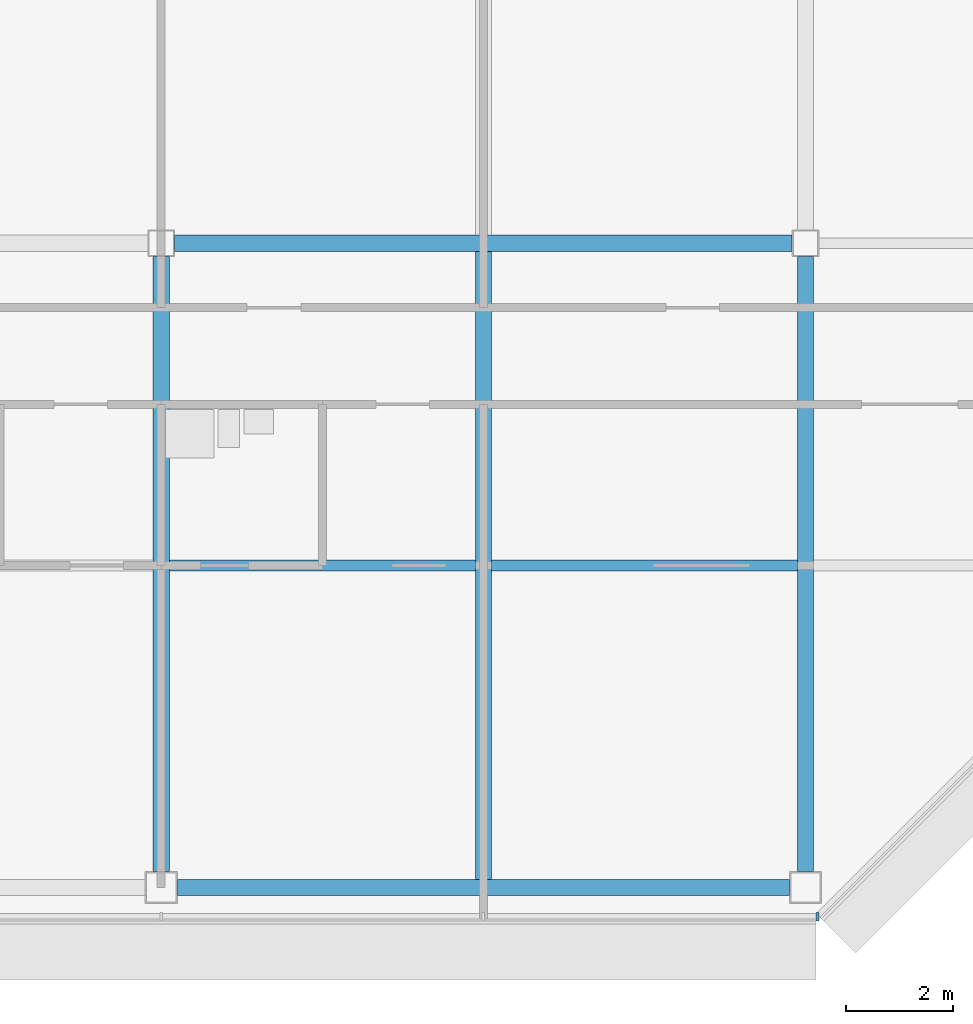
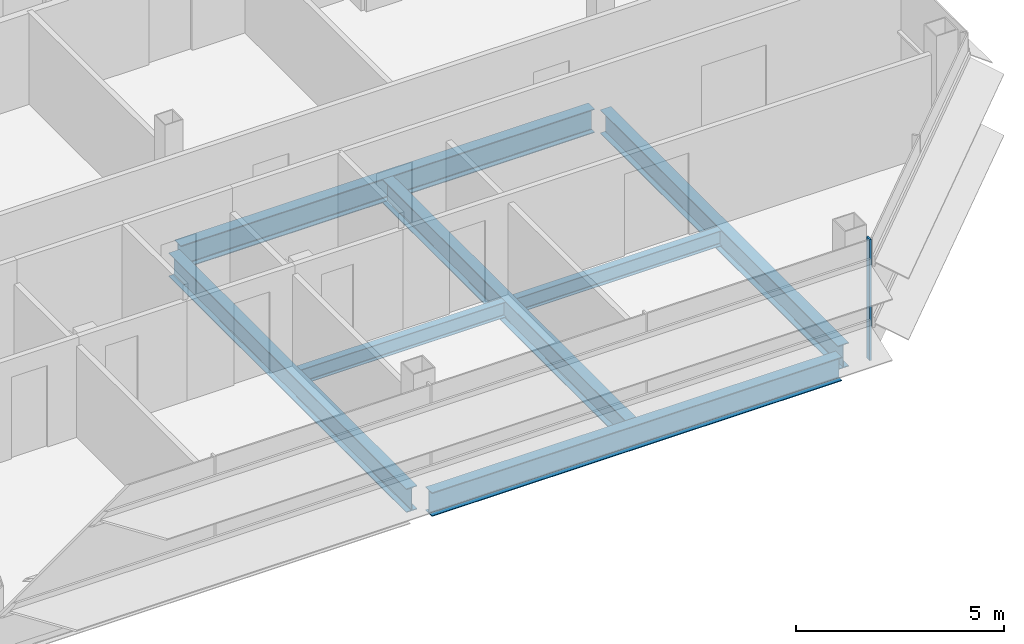
# One storey, part 10 of 28: 7 beams, 1 member, 1 element without a shape of its own.
"""IFC4 building model written with IfcOpenShell, lengths in metres."""

from ifc_helpers import new_model, si_unit, direction, frame, origin, origin_2d, place, context, subcontext, project, spatial, rectangle, i_section, extrude, material, material_profile, profile_set, type_object, element, aggregate, save


model = new_model("IFC4")

# Units and contexts
model_context = context("Model", 3, precision=1e-05, world=origin(), true_north=direction((0.0, 1.0)))
body_context = subcontext(model_context, "Body", "Model", "MODEL_VIEW")
ifc_project = project(units=[si_unit("LENGTHUNIT", "METRE"), si_unit("AREAUNIT", "SQUARE_METRE"), si_unit("VOLUMEUNIT", "CUBIC_METRE"), si_unit("PLANEANGLEUNIT", "RADIAN"), si_unit("MASSUNIT", "GRAM", prefix="KILO")], contexts=[model_context])

# Site, building, storey
site_placement = place(None, origin())
site = spatial("IfcSite", under=ifc_project, at=site_placement, CompositionType="ELEMENT")
building_placement = place(site_placement, origin())
building = spatial("IfcBuilding", under=site, at=building_placement, Name="Sorahane Residences", CompositionType="ELEMENT")
storey_placement = place(building_placement, frame((0.0, 0.0, 254.0)))
storey = spatial("IfcBuildingStorey", under=building, at=storey_placement, Name="L60", CompositionType="ELEMENT", Elevation=254.0)

# Curtain wall, member
ifc_material_1 = material(Name="Dark low-e glass and black anodised aluminium", Category="aluminium")
curtain_wall_type = type_object("IfcCurtainWallType", Name="Curtain wall CW-1 Typical unitised wall", PredefinedType="NOTDEFINED", material=ifc_material_1)
curtain_wall_placement = place(storey_placement, origin())
curtain_wall = element("IfcCurtainWall", 1, at=curtain_wall_placement, inside=storey, type_object=curtain_wall_type, Name="CW-1 curtain wall L60 S1", PredefinedType="NOTDEFINED")
ifc_material_2 = material(Name="Black anodised aluminium", Category="aluminium")
ifc_material_profile_1 = material_profile(ifc_material_2, rectangle(XDim=0.159912109375, YDim=0.050048828125, at=origin_2d()), Name="Curtain wall mullion CW-1 black anodised aluminium 50x160")
ifc_profile_set_1 = profile_set([ifc_material_profile_1], Name="Black anodised aluminium")
member_type = type_object("IfcMemberType", Name="Curtain wall mullion CW-1 black anodised aluminium 50x160", PredefinedType="MULLION", material=ifc_profile_set_1)
member_placement = place(storey_placement, frame((48.2236328125, -0.5400390625, -0.179931640625), z_axis=(0.0, 0.0, 1.0), x_axis=(0.0, -1.0, 0.0)))
member = element("IfcMember", 2, at=member_placement, type_object=member_type, Name="CW-1 mullion L60 S1.10", PredefinedType="MULLION", context=body_context, shape_type="SweptSolid", body=[
    extrude(rectangle(XDim=0.159912109375, YDim=0.050048828125, at=origin_2d()), origin(), (0.0, 0.0, 1.0), 3.559814453125),
])
aggregate(curtain_wall, [member])

# Beams
ifc_material_3 = material(Name="Steel Q355B", Category="steel")
ifc_material_profile_2 = material_profile(ifc_material_3, i_section(OverallWidth=0.199951171875, OverallDepth=0.449951171875, WebThickness=0.009033203125, FlangeThickness=0.013916015625, FilletRadius=0.02001953125, at=origin_2d()), Name="HN 450x200x9x14")
ifc_profile_set_2 = profile_set([ifc_material_profile_2], Name="Steel Q355B")
beam_type_1 = type_object("IfcBeamType", Name="Steel floor beam HN 450x200x9x14 Q355B", PredefinedType="BEAM", material=ifc_profile_set_2)
for number, where, z_axis, x_axis, name in (
    (3, (36.14990234375, 6.0, -0.405029296875), (1.0, 0.0, 0.0), (0.0, 1.0, 0.0), "Beam L60 075"),
    (4, (42.14990234375, 6.0, -0.405029296875), (1.0, 0.0, 0.0), (0.0, 1.0, 0.0), "Beam L60 076"),
):
    element("IfcBeam", number, at=place(storey_placement, frame(where, z_axis=z_axis, x_axis=x_axis)), inside=storey, type_object=beam_type_1, Name=name, PredefinedType="BEAM", context=body_context, shape_type="SweptSolid", body=[
        extrude(i_section(OverallWidth=0.199951171875, OverallDepth=0.449951171875, WebThickness=0.009033203125, FlangeThickness=0.013916015625, FilletRadius=0.02001953125, at=origin_2d()), origin(), (0.0, 0.0, 1.0), 5.7001953125),
    ])
ifc_material_4 = material(Name="Steel Q355B", Category="steel")
ifc_material_profile_3 = material_profile(ifc_material_4, i_section(OverallWidth=0.300048828125, OverallDepth=0.699951171875, WebThickness=0.012939453125, FlangeThickness=0.02392578125, FilletRadius=0.028076171875, at=origin_2d()), Name="HN 700x300x13x24")
ifc_profile_set_3 = profile_set([ifc_material_profile_3], Name="Steel Q355B")
beam_type_2 = type_object("IfcBeamType", Name="Steel floor beam HN 700x300x13x24 Q355B", PredefinedType="BEAM", material=ifc_profile_set_3)
beam_1_placement = place(storey_placement, frame((36.300048828125, 0.0, -0.530029296875), z_axis=(1.0, 0.0, 0.0), x_axis=(0.0, 1.0, 0.0)))
element("IfcBeam", 5, at=beam_1_placement, inside=storey, type_object=beam_type_2, Name="Beam L60 004", PredefinedType="BEAM", context=body_context, shape_type="SweptSolid", body=[
    extrude(i_section(OverallWidth=0.300048828125, OverallDepth=0.699951171875, WebThickness=0.012939453125, FlangeThickness=0.02392578125, FilletRadius=0.028076171875, at=origin_2d()), origin(), (0.0, 0.0, 1.0), 11.39990234375),
])
beam_2_placement = place(storey_placement, frame((36.25, 12.0, -0.530029296875), z_axis=(1.0, 0.0, 0.0), x_axis=(0.0, 1.0, 0.0)))
element("IfcBeam", 6, at=beam_2_placement, inside=storey, type_object=beam_type_2, Name="Beam L60 009", PredefinedType="BEAM", context=body_context, shape_type="SweptSolid", body=[
    extrude(i_section(OverallWidth=0.300048828125, OverallDepth=0.699951171875, WebThickness=0.012939453125, FlangeThickness=0.02392578125, FilletRadius=0.028076171875, at=origin_2d()), origin(), (0.0, 0.0, 1.0), 11.5),
])
beam_3_placement = place(storey_placement, frame((36.0, 0.300048828125, -0.530029296875), z_axis=(0.0, 1.0, 0.0), x_axis=(-1.0, 0.0, 0.0)))
element("IfcBeam", 7, at=beam_3_placement, inside=storey, type_object=beam_type_2, Name="Beam L60 050", PredefinedType="BEAM", context=body_context, shape_type="SweptSolid", body=[
    extrude(i_section(OverallWidth=0.300048828125, OverallDepth=0.699951171875, WebThickness=0.012939453125, FlangeThickness=0.02392578125, FilletRadius=0.028076171875, at=origin_2d()), origin(), (0.0, 0.0, 1.0), 11.449951171875),
])
beam_4_placement = place(storey_placement, frame((42.0, 0.14990234375, -0.530029296875), z_axis=(0.0, 1.0, 0.0), x_axis=(-1.0, 0.0, 0.0)))
element("IfcBeam", 8, at=beam_4_placement, inside=storey, type_object=beam_type_2, Name="Beam L60 052", PredefinedType="BEAM", context=body_context, shape_type="SweptSolid", body=[
    extrude(i_section(OverallWidth=0.300048828125, OverallDepth=0.699951171875, WebThickness=0.012939453125, FlangeThickness=0.02392578125, FilletRadius=0.028076171875, at=origin_2d()), origin(), (0.0, 0.0, 1.0), 11.7001953125),
])
beam_5_placement = place(storey_placement, frame((48.0, 0.300048828125, -0.530029296875), z_axis=(0.0, 1.0, 0.0), x_axis=(-1.0, 0.0, 0.0)))
element("IfcBeam", 9, at=beam_5_placement, inside=storey, type_object=beam_type_2, Name="Beam L60 058", PredefinedType="BEAM", context=body_context, shape_type="SweptSolid", body=[
    extrude(i_section(OverallWidth=0.300048828125, OverallDepth=0.699951171875, WebThickness=0.012939453125, FlangeThickness=0.02392578125, FilletRadius=0.028076171875, at=origin_2d()), origin(), (0.0, 0.0, 1.0), 11.449951171875),
])

save(model, "model.ifc")
